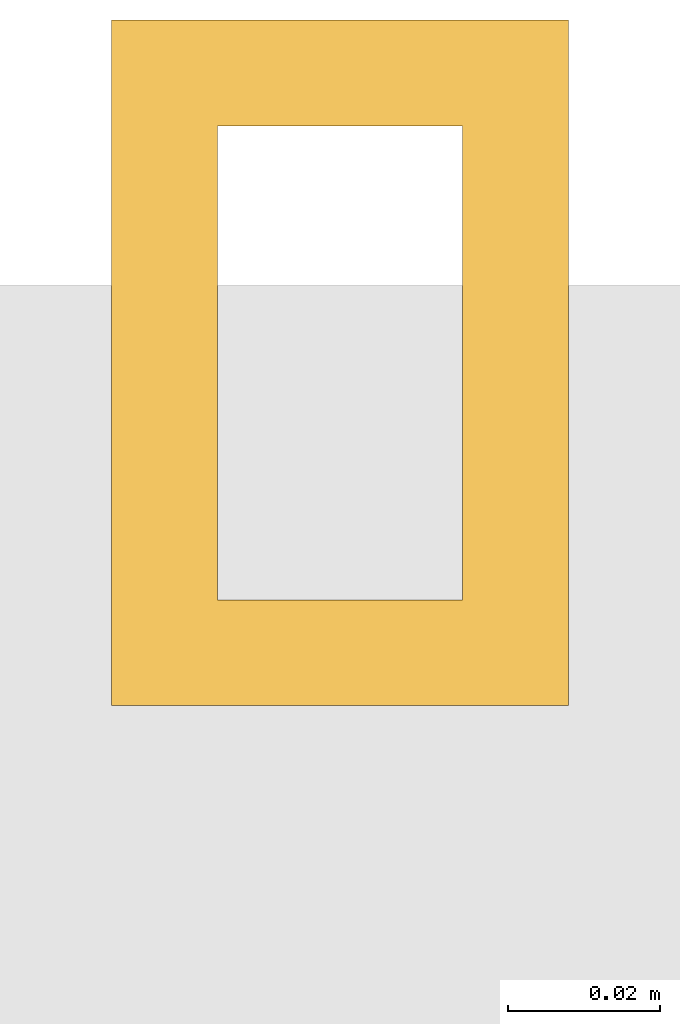
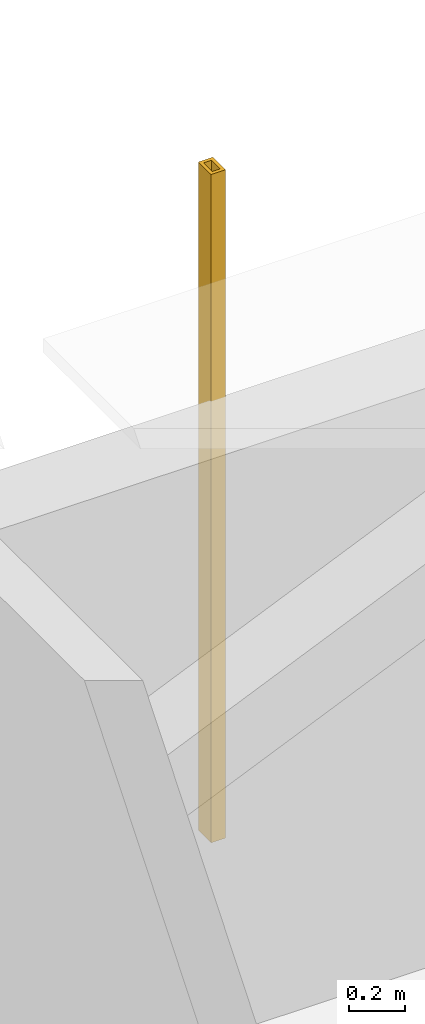
# One storey, part 36 of 37: 1 shading device.
"""IFC4 building model written with IfcOpenShell, lengths in metres."""

from ifc_helpers import new_model, si_unit, direction, frame, origin, origin_2d, place, context, subcontext, project, spatial, hollow_rectangle, extrude, material, material_profile, profile_set, type_object, element, save


model = new_model("IFC4")

# Units and contexts
model_context = context("Model", 3, precision=1e-05, world=origin(), true_north=direction((0.0, 1.0)))
body_context = subcontext(model_context, "Body", "Model", "MODEL_VIEW")
ifc_project = project(units=[si_unit("LENGTHUNIT", "METRE"), si_unit("AREAUNIT", "SQUARE_METRE"), si_unit("VOLUMEUNIT", "CUBIC_METRE"), si_unit("PLANEANGLEUNIT", "RADIAN"), si_unit("MASSUNIT", "GRAM", prefix="KILO")], contexts=[model_context])

# Site, building, storey
site_placement = place(None, origin())
site = spatial("IfcSite", under=ifc_project, at=site_placement, CompositionType="ELEMENT")
building_placement = place(site_placement, origin())
building = spatial("IfcBuilding", under=site, at=building_placement, Name="Punatoya Terracotta Tower", CompositionType="ELEMENT")
storey_placement = place(building_placement, frame((0.0, 0.0, 109.199951171875)))
storey = spatial("IfcBuildingStorey", under=building, at=storey_placement, Name="L25", CompositionType="ELEMENT", Elevation=109.199951171875)

# Shading device
ifc_material = material(Name="Architectural Fired Terracotta", Category="masonry")
ifc_material_profile = material_profile(ifc_material, hollow_rectangle(XDim=0.06005859375, YDim=0.090087890625, WallThickness=0.013916015625, at=origin_2d()))
ifc_profile_set = profile_set([ifc_material_profile], Name="Architectural Fired Terracotta")
shading_device_type = type_object("IfcShadingDeviceType", Name="SHD-JALI-90", PredefinedType="JALOUSIE", material=ifc_profile_set)
shading_device_placement = place(storey_placement, frame((0.0, 23.449951171875, 0.60009765625), z_axis=(0.0, 0.0, 1.0), x_axis=(1.0, 0.0, 0.0)))
element("IfcShadingDevice", 1, at=shading_device_placement, inside=storey, type_object=shading_device_type, Name="L25 Braced Bay Terracotta Jali Fin N1", PredefinedType="JALOUSIE", context=body_context, shape_type="SweptSolid", body=[
    extrude(hollow_rectangle(XDim=0.06005859375, YDim=0.090087890625, WallThickness=0.013916015625, at=origin_2d()), origin(), (0.0, 0.0, 1.0), 2.909912109375),
])

save(model, "model.ifc")
